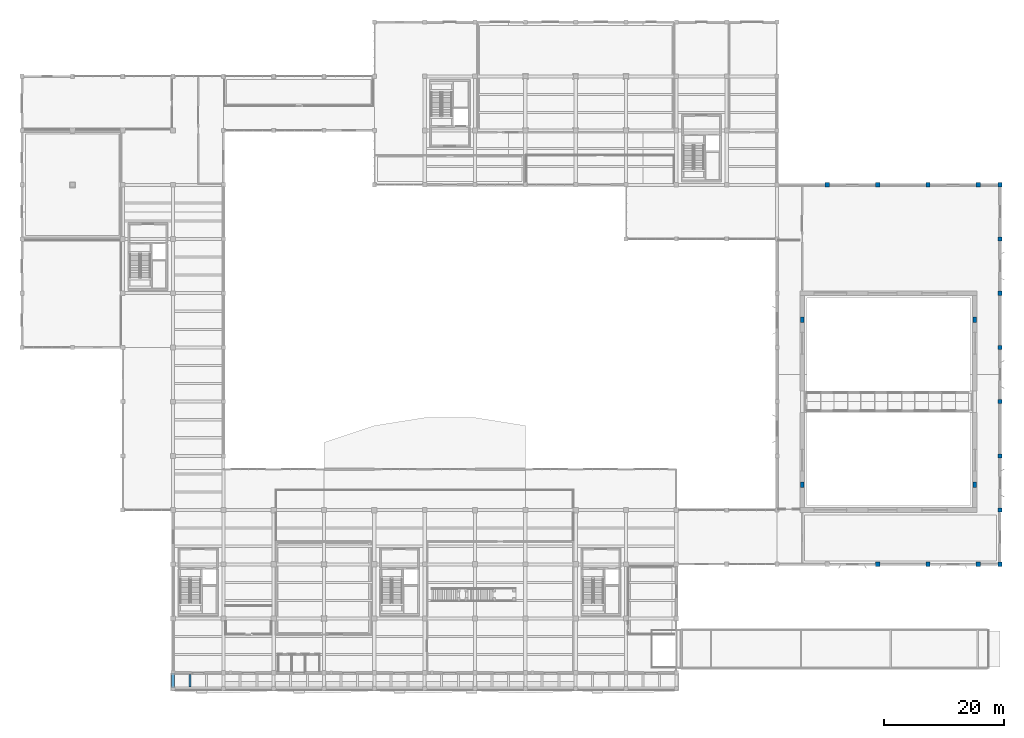
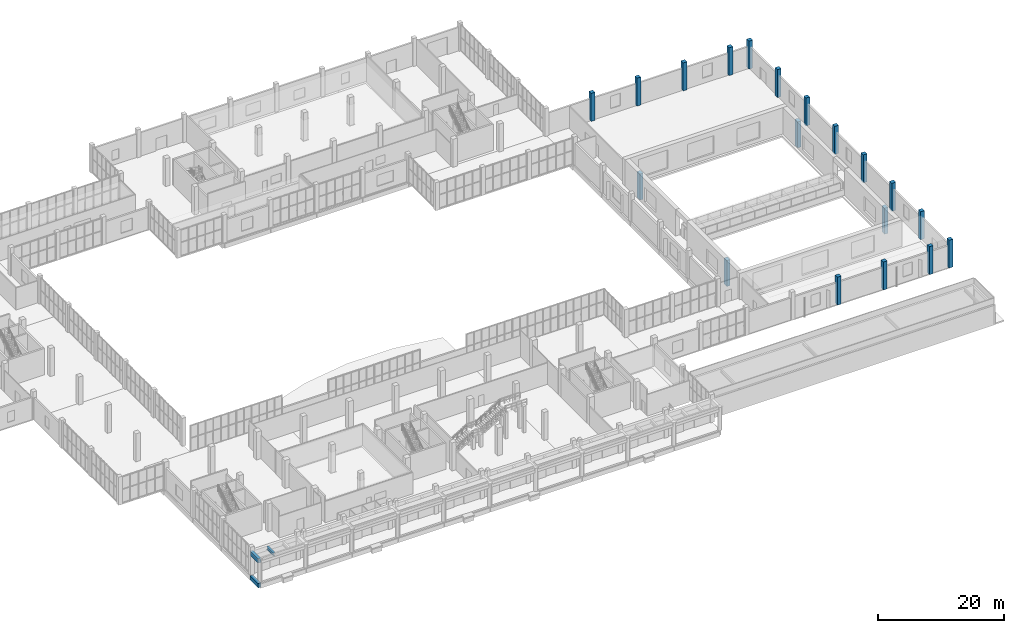
# One storey, part 2 of 91: 19 columns, 3 beams.
"""IFC4 building model written with IfcOpenShell, lengths in metres."""

from ifc_helpers import new_model, si_unit, direction, frame, origin, origin_2d, place, context, subcontext, project, spatial, rectangle, i_section, extrude, material, material_profile, profile_set, type_object, element, save


model = new_model("IFC4")

# Units and contexts
model_context = context("Model", 3, precision=1e-05, world=origin(), true_north=direction((0.0, 1.0)))
body_context = subcontext(model_context, "Body", "Model", "MODEL_VIEW")
ifc_project = project(units=[si_unit("LENGTHUNIT", "METRE"), si_unit("AREAUNIT", "SQUARE_METRE"), si_unit("VOLUMEUNIT", "CUBIC_METRE"), si_unit("PLANEANGLEUNIT", "RADIAN"), si_unit("MASSUNIT", "GRAM", prefix="KILO")], contexts=[model_context])

# Site, building, storey
site_placement = place(None, origin())
site = spatial("IfcSite", under=ifc_project, at=site_placement, CompositionType="ELEMENT")
building_placement = place(site_placement, origin())
building = spatial("IfcBuilding", under=site, at=building_placement, Name="Khurvash Pelagic Aquarium", CompositionType="ELEMENT")
storey_placement = place(building_placement, origin())
storey = spatial("IfcBuildingStorey", under=building, at=storey_placement, Name="L00", CompositionType="ELEMENT", Elevation=0.0)

# Columns
ifc_material_1 = material(Name="Concrete C40/50", Category="concrete")
ifc_material_profile_1 = material_profile(ifc_material_1, rectangle(XDim=0.699951171875, YDim=0.699951171875, at=origin_2d()), Name="RC700X700")
ifc_profile_set_1 = profile_set([ifc_material_profile_1], Name="Concrete C40/50")
column_type_1 = type_object("IfcColumnType", Name="C-07", PredefinedType="COLUMN", material=ifc_profile_set_1)
for number, where, z_axis, x_axis, name in (
    (1, (134.39990234375, 84.050048828125, 0.0), (0.0, 0.0, 1.0), (1.0, 0.0, 0.0), "L00 Column C-07 at 17/L"),
    (2, (142.800048828125, 20.699951171875, 0.0), (0.0, 0.0, 1.0), (1.0, 0.0, 0.0), "L00 Column C-07 at 18/D"),
    (3, (142.800048828125, 84.050048828125, 0.0), (0.0, 0.0, 1.0), (1.0, 0.0, 0.0), "L00 Column C-07 at 18/L"),
    (4, (151.199951171875, 20.699951171875, 0.0), (0.0, 0.0, 1.0), (1.0, 0.0, 0.0), "L00 Column C-07 at 19/D"),
    (5, (151.199951171875, 84.050048828125, 0.0), (0.0, 0.0, 1.0), (1.0, 0.0, 0.0), "L00 Column C-07 at 19/L"),
    (6, (159.60009765625, 20.699951171875, 0.0), (0.0, 0.0, 1.0), (1.0, 0.0, 0.0), "L00 Column C-07 at 20/D"),
    (7, (159.60009765625, 84.050048828125, 0.0), (0.0, 0.0, 1.0), (1.0, 0.0, 0.0), "L00 Column C-07 at 20/L"),
    (8, (163.199951171875, 20.699951171875, 0.0), (0.0, 0.0, 1.0), (1.0, 0.0, 0.0), "L00 Column C-07 at 21/D"),
    (9, (163.199951171875, 29.75, 0.0), (0.0, 0.0, 1.0), (1.0, 0.0, 0.0), "L00 Column C-07 at 21/E"),
    (10, (163.199951171875, 38.800048828125, 0.0), (0.0, 0.0, 1.0), (1.0, 0.0, 0.0), "L00 Column C-07 at 21/F"),
    (11, (163.199951171875, 47.85009765625, 0.0), (0.0, 0.0, 1.0), (1.0, 0.0, 0.0), "L00 Column C-07 at 21/G"),
    (12, (163.199951171875, 56.89990234375, 0.0), (0.0, 0.0, 1.0), (1.0, 0.0, 0.0), "L00 Column C-07 at 21/H"),
    (13, (163.199951171875, 65.949951171875, 0.0), (0.0, 0.0, 1.0), (1.0, 0.0, 0.0), "L00 Column C-07 at 21/J"),
    (14, (163.199951171875, 75.0, 0.0), (0.0, 0.0, 1.0), (1.0, 0.0, 0.0), "L00 Column C-07 at 21/K"),
    (15, (163.199951171875, 84.050048828125, 0.0), (0.0, 0.0, 1.0), (1.0, 0.0, 0.0), "L00 Column C-07 at 21/L"),
):
    element("IfcColumn", number, at=place(storey_placement, frame(where, z_axis=z_axis, x_axis=x_axis)), inside=storey, type_object=column_type_1, Name=name, PredefinedType="COLUMN", context=body_context, shape_type="SweptSolid", body=[
        extrude(rectangle(XDim=0.699951171875, YDim=0.699951171875, at=origin_2d()), origin(), (0.0, 0.0, 1.0), 5.39990234375),
    ])
ifc_material_2 = material(Name="Water-retaining concrete C40/50", Category="concrete")
ifc_material_profile_2 = material_profile(ifc_material_2, rectangle(XDim=0.60009765625, YDim=0.89990234375, at=origin_2d()), Name="RC600X900")
ifc_profile_set_2 = profile_set([ifc_material_profile_2], Name="Water-retaining concrete C40/50")
column_type_2 = type_object("IfcColumnType", Name="PL-C1", PredefinedType="PILASTER", material=ifc_profile_set_2)
for number, where, z_axis, x_axis, name in (
    (16, (130.199951171875, 34.0, 0.0), (0.0, 0.0, 1.0), (1.0, 0.0, 0.0), "L00 Ocean Tank Engaged Pilaster PL-C1 005"),
    (17, (159.0, 34.0, 0.0), (0.0, 0.0, 1.0), (1.0, 0.0, 0.0), "L00 Ocean Tank Engaged Pilaster PL-C1 006"),
    (18, (130.199951171875, 61.5, 0.0), (0.0, 0.0, 1.0), (1.0, 0.0, 0.0), "L00 Ocean Tank Engaged Pilaster PL-C1 007"),
    (19, (159.0, 61.5, 0.0), (0.0, 0.0, 1.0), (1.0, 0.0, 0.0), "L00 Ocean Tank Engaged Pilaster PL-C1 008"),
):
    element("IfcColumn", number, at=place(storey_placement, frame(where, z_axis=z_axis, x_axis=x_axis)), inside=storey, type_object=column_type_2, Name=name, PredefinedType="PILASTER", context=body_context, shape_type="SweptSolid", body=[
        extrude(rectangle(XDim=0.60009765625, YDim=0.89990234375, at=origin_2d()), origin(), (0.0, 0.0, 1.0), 5.0),
    ])

# Beams
ifc_material_3 = material(Name="Steel ASTM A992 Grade 50", Category="steel")
ifc_material_profile_3 = material_profile(ifc_material_3, i_section(OverallWidth=0.324951171875, OverallDepth=0.612060546875, WebThickness=0.0126953125, FlangeThickness=0.01904296875, at=origin_2d()), Name="W24X104")
ifc_profile_set_3 = profile_set([ifc_material_profile_3], Name="Steel ASTM A992 Grade 50")
beam_type_1 = type_object("IfcBeamType", Name="BM-15", PredefinedType="BEAM", material=ifc_profile_set_3)
beam_placement = place(storey_placement, frame((27.9970703125, 2.340087890625, 4.194091796875), z_axis=(0.0, -1.0, 0.0), x_axis=(1.0, 0.0, 0.0)))
element("IfcBeam", 20, at=beam_placement, inside=storey, type_object=beam_type_1, Name="L00 Boulevard Arcade Raked Canopy Rib BM-15", PredefinedType="BEAM", context=body_context, shape_type="SweptSolid", body=[
    extrude(i_section(OverallWidth=0.324951171875, OverallDepth=0.612060546875, WebThickness=0.0126953125, FlangeThickness=0.01904296875, at=origin_2d()), origin(), (0.0, 0.0, 1.0), 2.080078125),
])
ifc_material_profile_4 = material_profile(ifc_material_1, rectangle(XDim=0.5, YDim=0.85009765625, at=origin_2d()), Name="RC500X850")
ifc_profile_set_4 = profile_set([ifc_material_profile_4], Name="Concrete C40/50")
beam_type_2 = type_object("IfcBeamType", Name="SEB-03", PredefinedType="SPANDREL", material=ifc_profile_set_4)
for number, where, z_axis, x_axis, name in (
    (21, (25.199951171875, 0.0400390625, -0.695068359375), (0.0, 1.0, 0.0), (-1.0, 0.0, 0.0), "L00 Boulevard Arcade Transverse Grade Beam SEB-03"),
    (22, (25.199951171875, 0.0400390625, 4.074951171875), (0.0, 1.0, 0.0), (-1.0, 0.0, 0.0), "L00 Boulevard Arcade Canopy Tie Beam SEB-03"),
):
    element("IfcBeam", number, at=place(storey_placement, frame(where, z_axis=z_axis, x_axis=x_axis)), inside=storey, type_object=beam_type_2, Name=name, PredefinedType="SPANDREL", context=body_context, shape_type="SweptSolid", body=[
        extrude(rectangle(XDim=0.5, YDim=0.85009765625, at=origin_2d()), origin(), (0.0, 0.0, 1.0), 2.52001953125),
    ])

save(model, "model.ifc")
